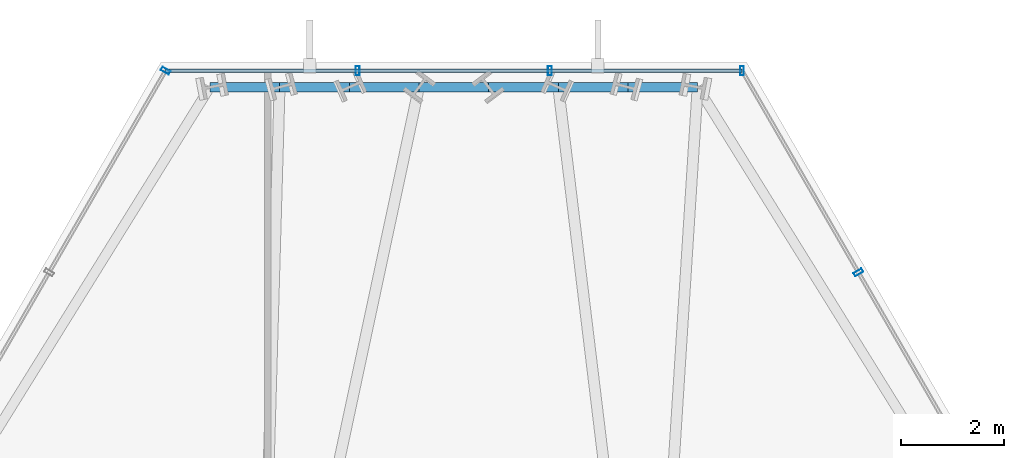
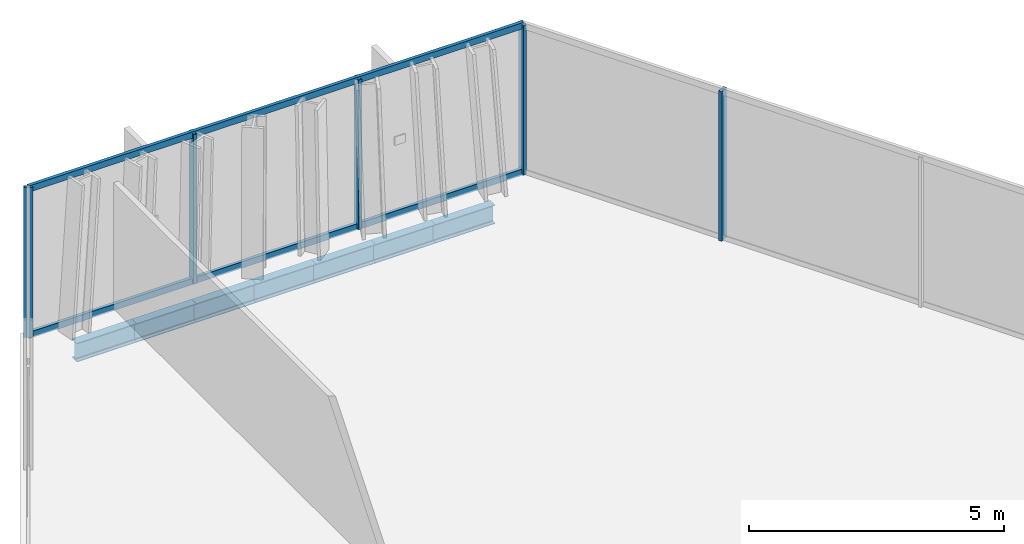
# One storey, part 23 of 32: 7 beams, 7 members, 3 elements without a shape of their own.
"""IFC4 building model written with IfcOpenShell, lengths in metres."""

from ifc_helpers import new_model, si_unit, direction, frame, origin, origin_2d, place, context, subcontext, project, spatial, hollow_rectangle, i_section, extrude, material, layer, layer_set, material_profile, profile_set, type_object, element, aggregate, save


model = new_model("IFC4")

# Units and contexts
model_context = context("Model", 3, precision=1e-05, world=origin(), true_north=direction((0.0, 1.0)))
body_context = subcontext(model_context, "Body", "Model", "MODEL_VIEW")
ifc_project = project(units=[si_unit("LENGTHUNIT", "METRE"), si_unit("AREAUNIT", "SQUARE_METRE"), si_unit("VOLUMEUNIT", "CUBIC_METRE"), si_unit("PLANEANGLEUNIT", "RADIAN"), si_unit("MASSUNIT", "GRAM", prefix="KILO")], contexts=[model_context])

# Site, building, storey
site_placement = place(None, origin())
site = spatial("IfcSite", under=ifc_project, at=site_placement, CompositionType="ELEMENT")
building_placement = place(site_placement, origin())
building = spatial("IfcBuilding", under=site, at=building_placement, Name="Ndaravel Arena Tower", CompositionType="ELEMENT")
storey_placement = place(building_placement, frame((0.0, 0.0, 157.39990234375)))
storey = spatial("IfcBuildingStorey", under=building, at=storey_placement, Name="L37", CompositionType="ELEMENT", Elevation=157.39990234375)

# Beams
ifc_material_1 = material(Name="Steel S355", Category="steel")
ifc_material_profile_1 = material_profile(ifc_material_1, i_section(OverallWidth=0.18994140625, OverallDepth=0.449951171875, WebThickness=0.009521484375, FlangeThickness=0.0146484375, FilletRadius=0.02099609375, at=origin_2d()), Name="IPE 450")
ifc_profile_set_1 = profile_set([ifc_material_profile_1], Name="Steel S355")
beam_type = type_object("IfcBeamType", Name="BM-SPAN-IPE450", PredefinedType="SPANDREL", material=ifc_profile_set_1)
for number, where, z_axis, x_axis, name in (
    (1, (46.731201171875, 45.833740234375, -0.44482421875), (-1.0, 0.0, 0.0), (0.0, -1.0, 0.0), "L37 Perimeter Spandrel Beam SP-11"),
    (2, (45.37939453125, 45.833740234375, -0.44482421875), (-1.0, 0.0, 0.0), (0.0, -1.0, 0.0), "L37 Perimeter Spandrel Beam SP-12"),
    (3, (44.027587890625, 45.833740234375, -0.44482421875), (-1.0, 0.0, 0.0), (0.0, -1.0, 0.0), "L37 Perimeter Spandrel Beam SP-13"),
):
    element("IfcBeam", number, at=place(storey_placement, frame(where, z_axis=z_axis, x_axis=x_axis)), inside=storey, type_object=beam_type, Name=name, PredefinedType="SPANDREL", context=body_context, shape_type="SweptSolid", body=[
        extrude(i_section(OverallWidth=0.18994140625, OverallDepth=0.449951171875, WebThickness=0.009521484375, FlangeThickness=0.0146484375, FilletRadius=0.02099609375, at=origin_2d()), origin(), (0.0, 0.0, 1.0), 1.351806640625),
    ])
beam_placement = place(storey_placement, frame((42.67578125, 45.833740234375, -0.44482421875), z_axis=(-1.0, 0.0, 0.0), x_axis=(0.0, -1.0, 0.0)))
element("IfcBeam", 4, at=beam_placement, inside=storey, type_object=beam_type, Name="L37 Perimeter Spandrel Beam SP-14", PredefinedType="SPANDREL", context=body_context, shape_type="SweptSolid", body=[
    extrude(i_section(OverallWidth=0.18994140625, OverallDepth=0.449951171875, WebThickness=0.009521484375, FlangeThickness=0.0146484375, FilletRadius=0.02099609375, at=origin_2d()), origin(), (0.0, 0.0, 1.0), 1.3515625),
])
for number, where, z_axis, x_axis, name in (
    (5, (41.32421875, 45.833740234375, -0.44482421875), (-1.0, 0.0, 0.0), (0.0, -1.0, 0.0), "L37 Perimeter Spandrel Beam SP-15"),
    (6, (39.972412109375, 45.833740234375, -0.44482421875), (-1.0, 0.0, 0.0), (0.0, -1.0, 0.0), "L37 Perimeter Spandrel Beam SP-16"),
    (7, (38.62060546875, 45.833740234375, -0.44482421875), (-1.0, 0.0, 0.0), (0.0, -1.0, 0.0), "L37 Perimeter Spandrel Beam SP-17"),
):
    element("IfcBeam", number, at=place(storey_placement, frame(where, z_axis=z_axis, x_axis=x_axis)), inside=storey, type_object=beam_type, Name=name, PredefinedType="SPANDREL", context=body_context, shape_type="SweptSolid", body=[
        extrude(i_section(OverallWidth=0.18994140625, OverallDepth=0.449951171875, WebThickness=0.009521484375, FlangeThickness=0.0146484375, FilletRadius=0.02099609375, at=origin_2d()), origin(), (0.0, 0.0, 1.0), 1.351806640625),
    ])

# Curtain wall, member
ifc_material_2 = material(Name="Aluminium", Category="aluminium")
ifc_layer_1 = layer(ifc_material_2, 0.179931640625)
ifc_layer_set_1 = layer_set([ifc_layer_1], Name="Aluminium")
curtain_wall_type_1 = type_object("IfcCurtainWallType", Name="CW-SYS-03", PredefinedType="NOTDEFINED", material=ifc_layer_set_1)
curtain_wall_1_placement = place(storey_placement, origin())
curtain_wall_1 = element("IfcCurtainWall", 8, at=curtain_wall_1_placement, inside=storey, type_object=curtain_wall_type_1, Name="L37 Faceted Crystal Curtain Wall CW-L37-E03", PredefinedType="NOTDEFINED")
ifc_material_3 = material(Name="Aluminium", Category="aluminium")
ifc_material_profile_2 = material_profile(ifc_material_3, hollow_rectangle(XDim=0.074951171875, YDim=0.179931640625, WallThickness=0.00390625, at=origin_2d()), Name="CW MULLION 75x180x4")
ifc_profile_set_2 = profile_set([ifc_material_profile_2], Name="Aluminium")
member_type_1 = type_object("IfcMemberType", Name="MEM-CW-MUL180", PredefinedType="MULLION", material=ifc_profile_set_2)
member_1_placement = place(storey_placement, frame((49.851318359375, 42.240234375, 0.0), z_axis=(0.0, 0.0, 1.0), x_axis=(-0.5, 0.866025403784, 0.0)))
member_1 = element("IfcMember", 9, at=member_1_placement, type_object=member_type_1, Name="CW-L37-E03 Mullion 07", PredefinedType="MULLION", context=body_context, shape_type="SweptSolid", body=[
    extrude(hollow_rectangle(XDim=0.074951171875, YDim=0.179931640625, WallThickness=0.00390625, at=origin_2d()), origin(), (0.0, 0.0, 1.0), 3.580078125),
])
aggregate(curtain_wall_1, [member_1])

# Curtain wall, members
ifc_material_4 = material(Name="Aluminium", Category="aluminium")
ifc_layer_2 = layer(ifc_material_4, 0.179931640625)
ifc_layer_set_2 = layer_set([ifc_layer_2], Name="Aluminium")
curtain_wall_type_2 = type_object("IfcCurtainWallType", Name="CW-SYS-01", PredefinedType="NOTDEFINED", material=ifc_layer_set_2)
curtain_wall_2_placement = place(storey_placement, origin())
curtain_wall_2 = element("IfcCurtainWall", 10, at=curtain_wall_2_placement, inside=storey, type_object=curtain_wall_type_2, Name="L37 Faceted Crystal Curtain Wall CW-L37-E04", PredefinedType="NOTDEFINED")
member_2_placement = place(storey_placement, frame((47.591796875, 46.15380859375, 0.0), z_axis=(0.0, 0.0, 1.0), x_axis=(-1.0, 0.0, 0.0)))
member_2 = element("IfcMember", 11, at=member_2_placement, type_object=member_type_1, Name="CW-L37-E04 Mullion 00", PredefinedType="MULLION", context=body_context, shape_type="SweptSolid", body=[
    extrude(hollow_rectangle(XDim=0.074951171875, YDim=0.179931640625, WallThickness=0.00390625, at=origin_2d()), origin(), (0.0, 0.0, 1.0), 3.580078125),
])
member_3_placement = place(storey_placement, frame((43.864013671875, 46.15380859375, 0.0), z_axis=(0.0, 0.0, 1.0), x_axis=(-1.0, 0.0, 0.0)))
member_3 = element("IfcMember", 12, at=member_3_placement, type_object=member_type_1, Name="CW-L37-E04 Mullion 01", PredefinedType="MULLION", context=body_context, shape_type="SweptSolid", body=[
    extrude(hollow_rectangle(XDim=0.074951171875, YDim=0.179931640625, WallThickness=0.00390625, at=origin_2d()), origin(), (0.0, 0.0, 1.0), 3.580078125),
])
member_4_placement = place(storey_placement, frame((40.135986328125, 46.15380859375, 0.0), z_axis=(0.0, 0.0, 1.0), x_axis=(-1.0, 0.0, 0.0)))
member_4 = element("IfcMember", 13, at=member_4_placement, type_object=member_type_1, Name="CW-L37-E04 Mullion 02", PredefinedType="MULLION", context=body_context, shape_type="SweptSolid", body=[
    extrude(hollow_rectangle(XDim=0.074951171875, YDim=0.179931640625, WallThickness=0.00390625, at=origin_2d()), origin(), (0.0, 0.0, 1.0), 3.580078125),
])

# Curtain wall, member
curtain_wall_3_placement = place(storey_placement, origin())
curtain_wall_3 = element("IfcCurtainWall", 14, at=curtain_wall_3_placement, inside=storey, type_object=curtain_wall_type_1, Name="L37 Faceted Crystal Curtain Wall CW-L37-E05", PredefinedType="NOTDEFINED")
member_5_placement = place(storey_placement, frame((36.408203125, 46.15380859375, 0.0), z_axis=(0.0, 0.0, 1.0), x_axis=(-0.5, -0.866025403784, 0.0)))
member_5 = element("IfcMember", 15, at=member_5_placement, type_object=member_type_1, Name="CW-L37-E05 Mullion 00", PredefinedType="MULLION", context=body_context, shape_type="SweptSolid", body=[
    extrude(hollow_rectangle(XDim=0.074951171875, YDim=0.179931640625, WallThickness=0.00390625, at=origin_2d()), origin(), (0.0, 0.0, 1.0), 3.580078125),
])
aggregate(curtain_wall_3, [member_5])

# Member
ifc_material_5 = material(Name="Aluminium", Category="aluminium")
ifc_material_profile_3 = material_profile(ifc_material_5, hollow_rectangle(XDim=0.074951171875, YDim=0.14990234375, WallThickness=0.00390625, at=origin_2d()), Name="CW TRANSOM 75x150x4")
ifc_profile_set_3 = profile_set([ifc_material_profile_3], Name="Aluminium")
member_type_2 = type_object("IfcMemberType", Name="MEM-CW-TRN150", PredefinedType="USERDEFINED", material=ifc_profile_set_3)
member_6_placement = place(storey_placement, frame((47.591796875, 46.15380859375, 0.0400390625), z_axis=(-1.0, 0.0, 0.0), x_axis=(0.0, -1.0, 0.0)))
member_6 = element("IfcMember", 16, at=member_6_placement, type_object=member_type_2, Name="CW-L37-E04 Transom 01", ObjectType="TRANSOM", PredefinedType="USERDEFINED", context=body_context, shape_type="SweptSolid", body=[
    extrude(hollow_rectangle(XDim=0.074951171875, YDim=0.14990234375, WallThickness=0.00390625, at=origin_2d()), origin(), (0.0, 0.0, 1.0), 11.18359375),
])

member_7_placement = place(storey_placement, frame((47.591796875, 46.15380859375, 3.5400390625), z_axis=(-1.0, 0.0, 0.0), x_axis=(0.0, -1.0, 0.0)))
member_7 = element("IfcMember", 17, at=member_7_placement, type_object=member_type_2, Name="CW-L37-E04 Transom 02", ObjectType="TRANSOM", PredefinedType="USERDEFINED", context=body_context, shape_type="SweptSolid", body=[
    extrude(hollow_rectangle(XDim=0.074951171875, YDim=0.14990234375, WallThickness=0.00390625, at=origin_2d()), origin(), (0.0, 0.0, 1.0), 11.18359375),
])

aggregate(curtain_wall_2, [member_2, member_3, member_4, member_6, member_7])

save(model, "model.ifc")
